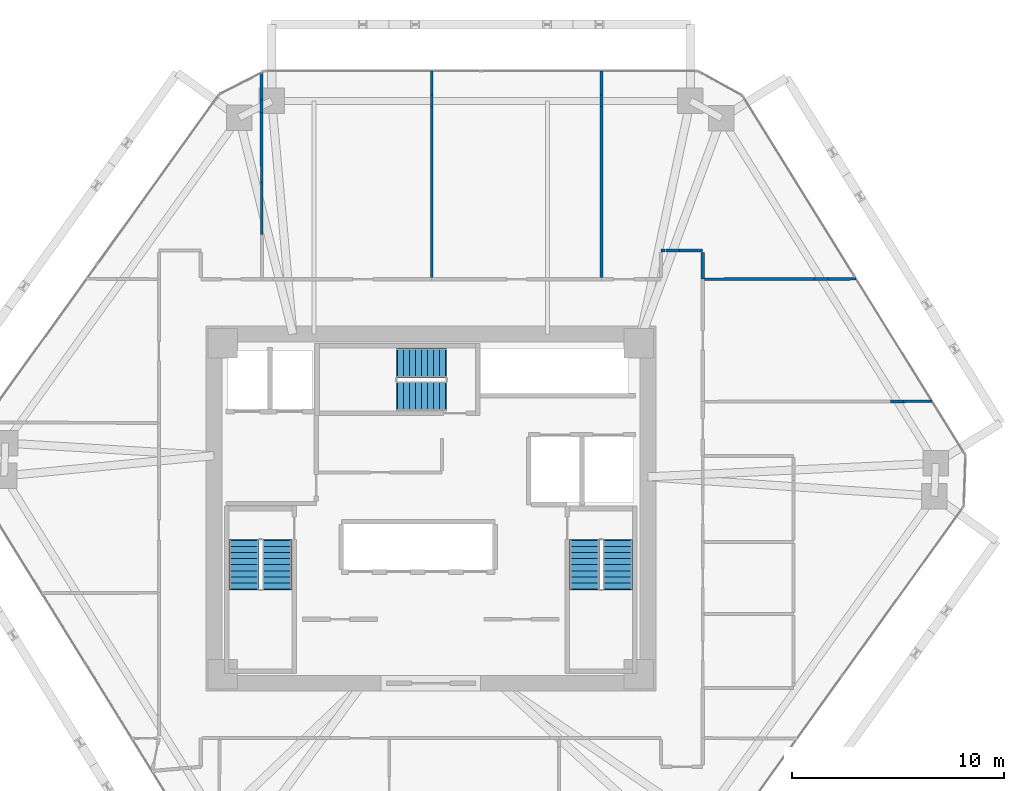
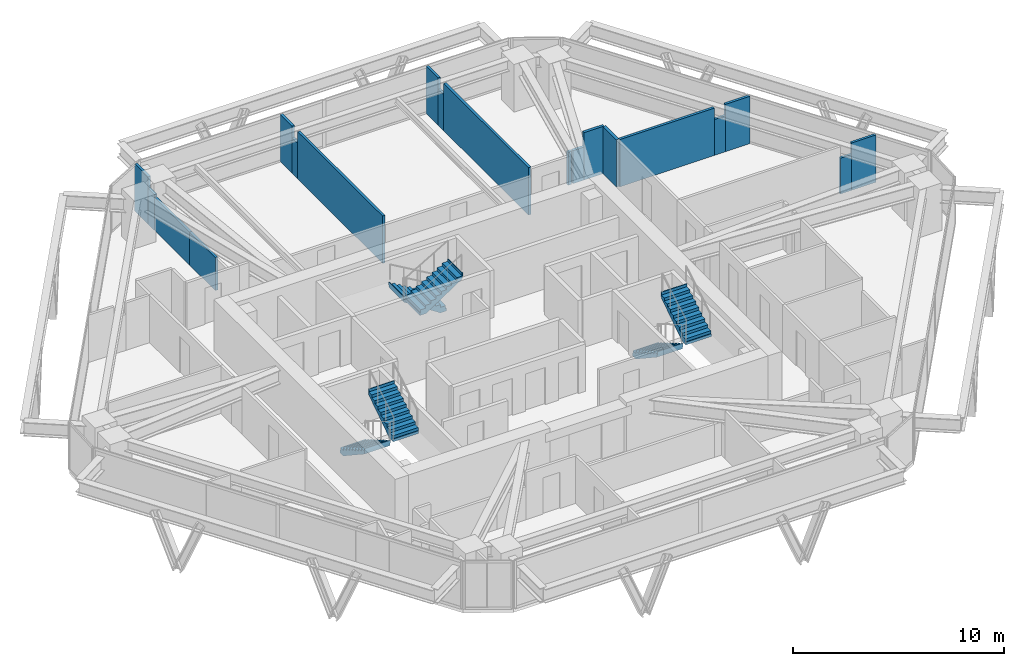
# One storey, part 13 of 14: 19 walls, 6 stair flights, 3 elements without a shape of their own.
"""IFC4 building model written with IfcOpenShell, lengths in metres."""

import ifcopenshell
import ifcopenshell.guid

model = None  # the IFC model being written
_history = None  # IfcOwnerHistory: only IFC2X3 demands one
_inside = {}  # id of a spatial element -> (the spatial element, [elements in it])
_under = {}  # id of a project, library or spatial element -> (it, [spatial elements below it])
_declared = {}  # id of a project -> (the project, [libraries it declares])
_typed = {}  # id of a type object -> (the type object, [elements of that type])
_made_of = {}  # id of a material, layer set ... -> (it, [elements and type objects made of it])


def new_model(schema):
    """Start an empty IFC model of exactly this schema.

    Asked for "IFC4X3", IfcOpenShell would pick the latest addendum, in which some entities
    have other attributes; the version numbers below select the first issue.
    IFC2X3 requires an IfcOwnerHistory on every rooted entity: one is made here for all.
    """
    global model, _history
    if schema == "IFC4X3":
        model = ifcopenshell.file(schema_version=(4, 3, 0, 0))
    else:
        model = ifcopenshell.file(schema=schema)
    _inside.clear()
    _under.clear()
    _declared.clear()
    _typed.clear()
    _made_of.clear()
    _history = None
    if model.schema == "IFC2X3":
        org = make("IfcOrganization", Name="unknown")
        user = make(
            "IfcPersonAndOrganization",
            ThePerson=make("IfcPerson", FamilyName="unknown"),
            TheOrganization=org,
        )
        app = make(
            "IfcApplication",
            ApplicationDeveloper=org,
            Version="unknown",
            ApplicationFullName="unknown",
            ApplicationIdentifier="unknown",
        )
        _history = make(
            "IfcOwnerHistory",
            OwningUser=user,
            OwningApplication=app,
            ChangeAction="ADDED",
            CreationDate=0,
        )
    return model


def make(cls, **values):
    """One entity of the class cls with the attributes given. An attribute that is None is left unset."""
    return model.create_entity(
        cls, **{name: value for name, value in values.items() if value is not None}
    )


def rooted(cls, **values):
    """An entity with a GlobalId (a new one), such as an element, a storey or a relation."""
    return make(cls, GlobalId=ifcopenshell.guid.new(), OwnerHistory=_history, **values)


def si_unit(unit_type, name, prefix=None):
    """IfcSIUnit, for example si_unit("LENGTHUNIT", "METRE", prefix="MILLI")."""
    return make("IfcSIUnit", UnitType=unit_type, Prefix=prefix, Name=name)


def assignment(units):
    """IfcUnitAssignment: the units of a project."""
    return None if units is None else make("IfcUnitAssignment", Units=units)


def point(xyz):
    """IfcCartesianPoint."""
    return None if xyz is None else make("IfcCartesianPoint", Coordinates=xyz)


def direction(xyz):
    """IfcDirection."""
    return None if xyz is None else make("IfcDirection", DirectionRatios=xyz)


def frame(location, z_axis=None, x_axis=None):
    """IfcAxis2Placement3D, a coordinate frame: its origin and axes. An axis left out is left unset."""
    return make(
        "IfcAxis2Placement3D",
        Location=point(location),
        Axis=direction(z_axis),
        RefDirection=direction(x_axis),
    )


def frame_2d(location, x_axis=None):
    """IfcAxis2Placement2D, a coordinate frame in the plane: its origin and x axis."""
    return make(
        "IfcAxis2Placement2D", Location=point(location), RefDirection=direction(x_axis)
    )


def origin():
    """The frame at (0, 0, 0) with its axes left unset."""
    return frame((0.0, 0.0, 0.0))


def place(relative_to, where):
    """IfcLocalPlacement: puts the frame where relative to a parent placement (None: the world)."""
    return make(
        "IfcLocalPlacement", PlacementRelTo=relative_to, RelativePlacement=where
    )


def context(
    kind, dimensions, precision=None, world=None, true_north=None, identifier=None
):
    """IfcGeometricRepresentationContext, for example the 3D "Model" context."""
    return make(
        "IfcGeometricRepresentationContext",
        ContextIdentifier=identifier,
        ContextType=kind,
        CoordinateSpaceDimension=dimensions,
        Precision=precision,
        WorldCoordinateSystem=world,
        TrueNorth=true_north,
    )


def subcontext(parent, identifier, kind, view, scale=None):
    """IfcGeometricRepresentationSubContext, for example "Body" below "Model"."""
    return make(
        "IfcGeometricRepresentationSubContext",
        ContextIdentifier=identifier,
        ContextType=kind,
        ParentContext=parent,
        TargetScale=scale,
        TargetView=view,
    )


def project(units=None, contexts=None):
    """IfcProject with its units and contexts."""
    return rooted(
        "IfcProject",
        Name="project",
        RepresentationContexts=contexts,
        UnitsInContext=assignment(units),
    )


def spatial(cls, under=None, at=None, **own):
    """A site, building, storey or space (cls), placed at a placement, below another one or the project."""
    s = rooted(cls, ObjectPlacement=at, **own)
    if under is not None:
        _under.setdefault(under.id(), (under, []))[1].append(s)
    return s


def polyline(points):
    """IfcPolyline through the points."""
    return make("IfcPolyline", Points=[point(p) for p in points])


def profile(cls, at=None, kind="AREA", **sizes):
    """A parametric profile (cls). Its sizes go by their IFC names, for example OverallWidth=200.0."""
    return make(cls, ProfileType=kind, Position=at, **sizes)


def rectangle(**sizes):
    """IfcRectangleProfileDef."""
    return profile("IfcRectangleProfileDef", **sizes)


def outline(outer, holes=None, kind="AREA"):
    """IfcArbitraryClosedProfileDef: a profile drawn as a closed curve; with holes, ...WithVoids."""
    if holes is None:
        return make("IfcArbitraryClosedProfileDef", ProfileType=kind, OuterCurve=outer)
    return make(
        "IfcArbitraryProfileDefWithVoids",
        ProfileType=kind,
        OuterCurve=outer,
        InnerCurves=holes,
    )


def extrude(swept, where, along, depth):
    """IfcExtrudedAreaSolid: the profile swept, set in the frame where, extruded along a direction by depth."""
    return make(
        "IfcExtrudedAreaSolid",
        SweptArea=swept,
        Position=where,
        ExtrudedDirection=direction(along),
        Depth=depth,
    )


def shape(context_of_items, identifier, shape_type, items):
    """IfcShapeRepresentation: the items that make up one representation, for example the "Body"."""
    return make(
        "IfcShapeRepresentation",
        ContextOfItems=context_of_items,
        RepresentationIdentifier=identifier,
        RepresentationType=shape_type,
        Items=items,
    )


def material(Name=None, Category=None):
    """IfcMaterial."""
    return make("IfcMaterial", Name=Name, Category=Category)


def layer(
    of_material, thickness, ventilated=None, Name=None, Category=None, Priority=None
):
    """IfcMaterialLayer: one layer of a wall or slab, of a material (None: an air gap)."""
    return make(
        "IfcMaterialLayer",
        Material=of_material,
        LayerThickness=thickness,
        IsVentilated=ventilated,
        Name=Name,
        Category=Category,
        Priority=Priority,
    )


def layer_set(layers, Name=None):
    """IfcMaterialLayerSet."""
    return make("IfcMaterialLayerSet", MaterialLayers=layers, LayerSetName=Name)


def made_of(thing, what):
    """Note that an element or type object is made of a material, layer set ...; save() writes the relation."""
    if what is not None:
        _made_of.setdefault(what.id(), (what, []))[1].append(thing)
    return thing


def type_object(cls, material=None, **own):
    """A type object (cls), such as IfcWallType, which elements share."""
    return made_of(rooted(cls, **own), material)


def element(
    cls,
    number,
    at=None,
    inside=None,
    cuts=None,
    type_object=None,
    material=None,
    context=None,
    identifier="Body",
    shape_type=None,
    held_by="IfcProductDefinitionShape",
    body=None,
    shapes=None,
    **own,
):
    """One element of the class cls, such as IfcWall. Its Tag is "e" and its number.

    at: its placement. inside: the storey or other place that contains it. cuts: it is an
    opening in that element (IfcRelVoidsElement). A single representation is given by context,
    identifier, shape_type and body (its items); several are given by shapes. held_by: the class
    of the entity that holds the representations. save() writes the other relations.
    """
    e = rooted(cls, Tag="e%d" % number, ObjectPlacement=at, **own)
    if body is not None:
        shapes = [shape(context, identifier, shape_type, body)]
    if shapes is not None:
        e.Representation = make(held_by, Representations=shapes)
    if inside is not None:
        _inside.setdefault(inside.id(), (inside, []))[1].append(e)
    if cuts is not None:
        rooted(
            "IfcRelVoidsElement", RelatingBuildingElement=cuts, RelatedOpeningElement=e
        )
    if type_object is not None:
        _typed.setdefault(type_object.id(), (type_object, []))[1].append(e)
    return made_of(e, material)


def aggregate(whole, parts):
    """IfcRelAggregates: a whole, such as a stair, and the parts it consists of."""
    return rooted("IfcRelAggregates", RelatingObject=whole, RelatedObjects=parts)


def save(model, path):
    """Write the relations noted so far, then the file.

    IfcRelAggregates (storeys below a building ...), IfcRelContainedInSpatialStructure (elements
    in a storey), IfcRelDefinesByType, IfcRelAssociatesMaterial and IfcRelDeclares: one each for
    every whole, place, type object, material and project.
    """
    for whole, parts in _under.values():
        aggregate(whole, parts)
    for where, things in _inside.values():
        rooted(
            "IfcRelContainedInSpatialStructure",
            RelatedElements=things,
            RelatingStructure=where,
        )
    for kind, things in _typed.values():
        rooted("IfcRelDefinesByType", RelatedObjects=things, RelatingType=kind)
    for what, things in _made_of.values():
        rooted("IfcRelAssociatesMaterial", RelatedObjects=things, RelatingMaterial=what)
    for by, libraries in _declared.values():
        rooted("IfcRelDeclares", RelatingContext=by, RelatedDefinitions=libraries)
    model.write(path)


model = new_model("IFC4")

# Units and contexts
model_context = context("Model", 3, precision=1e-05, world=origin(), true_north=direction((0.0, 1.0)))
body_context = subcontext(model_context, "Body", "Model", "MODEL_VIEW")
ifc_project = project(units=[si_unit("LENGTHUNIT", "METRE"), si_unit("AREAUNIT", "SQUARE_METRE"), si_unit("VOLUMEUNIT", "CUBIC_METRE"), si_unit("PLANEANGLEUNIT", "RADIAN"), si_unit("MASSUNIT", "GRAM", prefix="KILO")], contexts=[model_context])

# Site, building, storey
site_placement = place(None, origin())
site = spatial("IfcSite", under=ifc_project, at=site_placement, CompositionType="ELEMENT")
building_placement = place(site_placement, origin())
building = spatial("IfcBuilding", under=site, at=building_placement, Name="Durnholm Broadcast Tower", CompositionType="ELEMENT")
storey_placement = place(building_placement, frame((0.0, 0.0, 140.10009765625)))
storey = spatial("IfcBuildingStorey", under=building, at=storey_placement, Name="L38", CompositionType="ELEMENT", Elevation=140.10009765625)

# Walls
ifc_material_1 = material(Name="Gypsum Metal Stud Partition", Category="concrete")
ifc_layer_1 = layer(ifc_material_1, 0.135009765625)
ifc_layer_set_1 = layer_set([ifc_layer_1], Name="Gypsum Metal Stud Partition")
wall_type_1 = type_object("IfcWallType", Name="WALL-PART-135", PredefinedType="PARTITIONING", material=ifc_layer_set_1)
wall_1_placement = place(storey_placement, frame((-7.978271484375, 20.542236328125, 0.0), z_axis=(0.0, 0.0, 1.0), x_axis=(0.001914971594, -0.99999816644, 0.0)))
element("IfcWall", 1, at=wall_1_placement, inside=storey, type_object=wall_type_1, Name="L38 room dividing partition 7.8", PredefinedType="PARTITIONING", context=body_context, shape_type="SweptSolid", body=[
    extrude(rectangle(XDim=1.27490234375, YDim=0.135009765625, at=frame_2d((0.637451171875, 0.0))), origin(), (0.0, 0.0, 1.0), 2.744873046875),
])
wall_2_placement = place(storey_placement, frame((-7.974609375, 18.673095703125, 0.0), z_axis=(0.0, 0.0, 1.0), x_axis=(0.001840668359, -0.999998305969, 0.0)))
element("IfcWall", 2, at=wall_2_placement, inside=storey, type_object=wall_type_1, Name="L38 room dividing partition 7.8", PredefinedType="PARTITIONING", context=body_context, shape_type="SweptSolid", body=[
    extrude(rectangle(XDim=3.31591796875, YDim=0.135009765625, at=frame_2d((1.657958984375, 0.0))), origin(), (0.0, 0.0, 1.0), 1.912109375),
])
wall_3_placement = place(storey_placement, frame((-7.975830078125, 19.267333984375, 0.0), z_axis=(0.0, 0.0, 1.0), x_axis=(0.002054227383, -0.999997890073, 0.0)))
element("IfcWall", 3, at=wall_3_placement, inside=storey, type_object=wall_type_1, Name="L38 room dividing partition 7.8", PredefinedType="PARTITIONING", context=body_context, shape_type="SweptSolid", body=[
    extrude(rectangle(XDim=0.59423828125, YDim=0.135009765625, at=frame_2d((0.297119140625, 0.0))), origin(), (0.0, 0.0, 1.0), 2.079833984375),
])
wall_4_placement = place(storey_placement, frame((-7.968505859375, 15.357177734375, 0.0), z_axis=(0.0, 0.0, 1.0), x_axis=(0.001895636622, -0.999998203279, 0.0)))
element("IfcWall", 4, at=wall_4_placement, inside=storey, type_object=wall_type_1, Name="L38 room dividing partition 7.8", PredefinedType="PARTITIONING", context=body_context, shape_type="SweptSolid", body=[
    extrude(rectangle(XDim=2.447021484375, YDim=0.135009765625, at=frame_2d((1.2236328125, 0.0))), origin(), (0.0, 0.0, 1.0), 1.912109375),
])
wall_5_placement = place(storey_placement, frame((0.0400390625, 20.614990234375, 0.0), z_axis=(0.0, 0.0, 1.0), x_axis=(0.0, -1.0, 0.0)))
element("IfcWall", 5, at=wall_5_placement, inside=storey, type_object=wall_type_1, Name="L38 room dividing partition 8.9", PredefinedType="PARTITIONING", context=body_context, shape_type="SweptSolid", body=[
    extrude(rectangle(XDim=1.135498046875, YDim=0.135009765625, at=frame_2d((0.56787109375, 0.0))), origin(), (0.0, 0.0, 1.0), 2.744873046875),
])
wall_6_placement = place(storey_placement, frame((0.0400390625, 18.950439453125, 0.0), z_axis=(0.0, 0.0, 1.0), x_axis=(0.0, -1.0, 0.0)))
element("IfcWall", 6, at=wall_6_placement, inside=storey, type_object=wall_type_1, Name="L38 room dividing partition 8.9", PredefinedType="PARTITIONING", context=body_context, shape_type="SweptSolid", body=[
    extrude(rectangle(XDim=8.0615234375, YDim=0.135009765625, at=frame_2d((4.03076171875, 0.0))), origin(), (0.0, 0.0, 1.0), 2.744873046875),
])
wall_7_placement = place(storey_placement, frame((0.0400390625, 19.4794921875, 0.0), z_axis=(0.0, 0.0, 1.0), x_axis=(0.0, -1.0, 0.0)))
element("IfcWall", 7, at=wall_7_placement, inside=storey, type_object=wall_type_1, Name="L38 room dividing partition 8.9", PredefinedType="PARTITIONING", context=body_context, shape_type="SweptSolid", body=[
    extrude(rectangle(XDim=0.529052734375, YDim=0.135009765625, at=frame_2d((0.2646484375, 0.0))), origin(), (0.0, 0.0, 1.0), 2.079833984375),
])
wall_8_placement = place(storey_placement, frame((8.0400390625, 20.614990234375, 0.0), z_axis=(0.0, 0.0, 1.0), x_axis=(0.0, -1.0, 0.0)))
element("IfcWall", 8, at=wall_8_placement, inside=storey, type_object=wall_type_1, Name="L38 room dividing partition 9.10", PredefinedType="PARTITIONING", context=body_context, shape_type="SweptSolid", body=[
    extrude(rectangle(XDim=1.135498046875, YDim=0.135009765625, at=frame_2d((0.56787109375, 0.0))), origin(), (0.0, 0.0, 1.0), 2.744873046875),
])
wall_9_placement = place(storey_placement, frame((8.0400390625, 18.950439453125, 0.0), z_axis=(0.0, 0.0, 1.0), x_axis=(0.0, -1.0, 0.0)))
element("IfcWall", 9, at=wall_9_placement, inside=storey, type_object=wall_type_1, Name="L38 room dividing partition 9.10", PredefinedType="PARTITIONING", context=body_context, shape_type="SweptSolid", body=[
    extrude(rectangle(XDim=8.0615234375, YDim=0.135009765625, at=frame_2d((4.03076171875, 0.0))), origin(), (0.0, 0.0, 1.0), 2.744873046875),
])
wall_10_placement = place(storey_placement, frame((8.0400390625, 19.4794921875, 0.0), z_axis=(0.0, 0.0, 1.0), x_axis=(0.0, -1.0, 0.0)))
element("IfcWall", 10, at=wall_10_placement, inside=storey, type_object=wall_type_1, Name="L38 room dividing partition 9.10", PredefinedType="PARTITIONING", context=body_context, shape_type="SweptSolid", body=[
    extrude(rectangle(XDim=0.529052734375, YDim=0.135009765625, at=frame_2d((0.2646484375, 0.0))), origin(), (0.0, 0.0, 1.0), 2.079833984375),
])
wall_11_placement = place(storey_placement, frame((20.03515625, 10.8310546875, 0.0), z_axis=(0.0, 0.0, 1.0), x_axis=(-0.999995711111, -0.002928781142, 0.0)))
element("IfcWall", 11, at=wall_11_placement, inside=storey, type_object=wall_type_1, Name="L38 room dividing partition 10.19", PredefinedType="PARTITIONING", context=body_context, shape_type="SweptSolid", body=[
    extrude(rectangle(XDim=1.333740234375, YDim=0.135009765625, at=frame_2d((0.6669921875, 0.0))), origin(), (0.0, 0.0, 1.0), 2.744873046875),
])
wall_12_placement = place(storey_placement, frame((18.080078125, 10.825439453125, 0.0), z_axis=(0.0, 0.0, 1.0), x_axis=(-0.999995748898, -0.002915850841, 0.0)))
element("IfcWall", 12, at=wall_12_placement, inside=storey, type_object=wall_type_1, Name="L38 room dividing partition 10.19", PredefinedType="PARTITIONING", context=body_context, shape_type="SweptSolid", body=[
    extrude(rectangle(XDim=5.191162109375, YDim=0.135009765625, at=frame_2d((2.595703125, 0.0))), origin(), (0.0, 0.0, 1.0), 2.744873046875),
])
wall_13_placement = place(storey_placement, frame((18.701416015625, 10.8271484375, 0.0), z_axis=(0.0, 0.0, 1.0), x_axis=(-0.999996217421, -0.002750480755, 0.0)))
element("IfcWall", 13, at=wall_13_placement, inside=storey, type_object=wall_type_1, Name="L38 room dividing partition 10.19", PredefinedType="PARTITIONING", context=body_context, shape_type="SweptSolid", body=[
    extrude(rectangle(XDim=0.621337890625, YDim=0.135009765625, at=frame_2d((0.310546875, 0.0))), origin(), (0.0, 0.0, 1.0), 2.079833984375),
])
wall_14_placement = place(storey_placement, frame((22.279541015625, 5.05859375, 0.0), z_axis=(0.0, 0.0, 1.0), x_axis=(0.999998327097, 0.001829153699, 0.0)))
element("IfcWall", 14, at=wall_14_placement, inside=storey, type_object=wall_type_1, Name="L38 room dividing partition 18.19", PredefinedType="PARTITIONING", context=body_context, shape_type="SweptSolid", body=[
    extrude(rectangle(XDim=1.334716796875, YDim=0.135009765625, at=frame_2d((0.66748046875, 0.0))), origin(), (0.0, 0.0, 1.0), 2.744873046875),
])
wall_15_placement = place(storey_placement, frame((21.65771484375, 5.057373046875, 0.0), z_axis=(0.0, 0.0, 1.0), x_axis=(0.999998073137, 0.001963090053, 0.0)))
element("IfcWall", 15, at=wall_15_placement, inside=storey, type_object=wall_type_1, Name="L38 room dividing partition 18.19", PredefinedType="PARTITIONING", context=body_context, shape_type="SweptSolid", body=[
    extrude(rectangle(XDim=0.621826171875, YDim=0.135009765625, at=frame_2d((0.31103515625, 0.0))), origin(), (0.0, 0.0, 1.0), 2.079833984375),
])
ifc_material_2 = material(Name="Acoustic Gypsum Stud Partition", Category="concrete")
ifc_layer_2 = layer(ifc_material_2, 0.14990234375)
ifc_layer_set_2 = layer_set([ifc_layer_2], Name="Acoustic Gypsum Stud Partition")
wall_type_2 = type_object("IfcWallType", Name="WALL-PART-150", PredefinedType="PARTITIONING", material=ifc_layer_set_2)
wall_16_placement = place(storey_placement, frame((12.81005859375, 12.159912109375, 0.0), z_axis=(0.0, 0.0, 1.0), x_axis=(-1.0, 0.0, 0.0)))
element("IfcWall", 16, at=wall_16_placement, inside=storey, type_object=wall_type_2, Name="L38 Open Plan Broadcast Workspace 5 corridor partition", PredefinedType="PARTITIONING", context=body_context, shape_type="SweptSolid", body=[
    extrude(rectangle(XDim=1.09765625, YDim=0.14990234375, at=frame_2d((0.548828125, 0.0))), origin(), (0.0, 0.0, 1.0), 2.744873046875),
])
wall_17_placement = place(storey_placement, frame((11.71240234375, 12.159912109375, 0.0), z_axis=(0.0, 0.0, 1.0), x_axis=(-1.0, 0.0, 0.0)))
element("IfcWall", 17, at=wall_17_placement, inside=storey, type_object=wall_type_2, Name="L38 Open Plan Broadcast Workspace 5 corridor partition", PredefinedType="PARTITIONING", context=body_context, shape_type="SweptSolid", body=[
    extrude(rectangle(XDim=0.623291015625, YDim=0.14990234375, at=frame_2d((0.3115234375, 0.0))), origin(), (0.0, 0.0, 1.0), 1.912109375),
])
wall_18_placement = place(storey_placement, frame((11.027099609375, 12.159912109375, 0.0), z_axis=(0.0, 0.0, 1.0), x_axis=(-1.0, 0.0, 0.0)))
element("IfcWall", 18, at=wall_18_placement, inside=storey, type_object=wall_type_2, Name="L38 Open Plan Broadcast Workspace 5 corridor partition", PredefinedType="PARTITIONING", context=body_context, shape_type="SweptSolid", body=[
    extrude(rectangle(XDim=0.18701171875, YDim=0.14990234375, at=frame_2d((0.093505859375, 0.0))), origin(), (0.0, 0.0, 1.0), 1.912109375),
])
wall_19_placement = place(storey_placement, frame((12.81005859375, 10.81005859375, 0.0), z_axis=(0.0, 0.0, 1.0), x_axis=(0.0, 1.0, 0.0)))
element("IfcWall", 19, at=wall_19_placement, inside=storey, type_object=wall_type_2, Name="L38 Open Plan Broadcast Workspace 5 corridor partition", PredefinedType="PARTITIONING", context=body_context, shape_type="SweptSolid", body=[
    extrude(rectangle(XDim=1.27099609375, YDim=0.14990234375, at=frame_2d((0.635498046875, 0.0))), origin(), (0.0, 0.0, 1.0), 2.744873046875),
])

# Stair, stair flights
ifc_material_3 = material(Name="Concrete C50/60", Category="concrete")
stair_type = type_object("IfcStairType", Name="STAIR-DL-18R1667", PredefinedType="HALF_TURN_STAIR", material=ifc_material_3)
stair_1_placement = place(storey_placement, origin())
stair_1 = element("IfcStair", 20, at=stair_1_placement, inside=storey, type_object=stair_type, Name="L38 ST-1", PredefinedType="HALF_TURN_STAIR")
stair_flight_type = type_object("IfcStairFlightType", Name="FLIGHT-DL-18R1667", PredefinedType="STRAIGHT", material=ifc_material_3)
stair_flight_1_placement = place(storey_placement, frame((-8.800048828125, -1.5, 0.0), z_axis=(0.0, 0.0, 1.0), x_axis=(0.0, -1.0, 0.0)))
stair_flight_1 = element("IfcStairFlight", 21, at=stair_flight_1_placement, type_object=stair_flight_type, Name="ST-1 flight 1", NumberOfRisers=9, NumberOfTreads=8, PredefinedType="STRAIGHT", RiserHeight=0.166666667, TreadLength=0.285, context=body_context, shape_type="SweptSolid", body=[
    extrude(outline(polyline([(-0.0400390625, -0.14990234375), (-0.0400390625, 0.0), (0.0, 0.0), (0.0, 0.166748046875), (0.284912109375, 0.166748046875), (0.284912109375, 0.333251953125), (0.570068359375, 0.333251953125), (0.570068359375, 0.5), (0.85498046875, 0.5), (0.85498046875, 0.666748046875), (1.139892578125, 0.666748046875), (1.139892578125, 0.833251953125), (1.425048828125, 0.833251953125), (1.425048828125, 1.0), (1.7099609375, 1.0), (1.7099609375, 1.166748046875), (1.9951171875, 1.166748046875), (1.9951171875, 1.333251953125), (2.280029296875, 1.333251953125), (2.280029296875, 1.5), (2.320068359375, 1.5), (2.320068359375, 1.35009765625), (2.280029296875, 1.15966796875), (0.296875, -0.14990234375), (-0.0400390625, -0.14990234375)])), frame((0.0, 0.699951171875, 0.0), z_axis=(0.0, -1.0, 0.0), x_axis=(1.0, 0.0, 0.0)), (0.0, 0.0, 1.0), 1.39990234375),
])
stair_flight_2_placement = place(storey_placement, frame((-7.239990234375, -3.780029296875, 1.5), z_axis=(0.0, 0.0, 1.0), x_axis=(0.0, 1.0, 0.0)))
stair_flight_2 = element("IfcStairFlight", 22, at=stair_flight_2_placement, type_object=stair_flight_type, Name="ST-1 flight 2", NumberOfRisers=9, NumberOfTreads=8, PredefinedType="STRAIGHT", RiserHeight=0.166666667, TreadLength=0.285, context=body_context, shape_type="SweptSolid", body=[
    extrude(outline(polyline([(-0.0400390625, -0.14990234375), (-0.0400390625, 0.0), (0.0, 0.0), (0.0, 0.166748046875), (0.284912109375, 0.166748046875), (0.284912109375, 0.333251953125), (0.570068359375, 0.333251953125), (0.570068359375, 0.5), (0.85498046875, 0.5), (0.85498046875, 0.666748046875), (1.139892578125, 0.666748046875), (1.139892578125, 0.833251953125), (1.425048828125, 0.833251953125), (1.425048828125, 1.0), (1.7099609375, 1.0), (1.7099609375, 1.166748046875), (1.9951171875, 1.166748046875), (1.9951171875, 1.333251953125), (2.280029296875, 1.333251953125), (2.280029296875, 1.5), (2.320068359375, 1.5), (2.320068359375, 1.35009765625), (2.280029296875, 1.15966796875), (0.296875, -0.14990234375), (-0.0400390625, -0.14990234375)])), frame((0.0, 0.699951171875, 0.0), z_axis=(0.0, -1.0, 0.0), x_axis=(1.0, 0.0, 0.0)), (0.0, 0.0, 1.0), 1.39990234375),
])
aggregate(stair_1, [stair_flight_1, stair_flight_2])

stair_2_placement = place(storey_placement, origin())
stair_2 = element("IfcStair", 23, at=stair_2_placement, inside=storey, type_object=stair_type, Name="L38 ST-2", PredefinedType="HALF_TURN_STAIR")
stair_flight_3_placement = place(storey_placement, frame((7.239990234375, -1.5, 0.0), z_axis=(0.0, 0.0, 1.0), x_axis=(0.0, -1.0, 0.0)))
stair_flight_3 = element("IfcStairFlight", 24, at=stair_flight_3_placement, type_object=stair_flight_type, Name="ST-2 flight 1", NumberOfRisers=9, NumberOfTreads=8, PredefinedType="STRAIGHT", RiserHeight=0.166666667, TreadLength=0.285, context=body_context, shape_type="SweptSolid", body=[
    extrude(outline(polyline([(-0.0400390625, -0.14990234375), (-0.0400390625, 0.0), (0.0, 0.0), (0.0, 0.166748046875), (0.284912109375, 0.166748046875), (0.284912109375, 0.333251953125), (0.570068359375, 0.333251953125), (0.570068359375, 0.5), (0.85498046875, 0.5), (0.85498046875, 0.666748046875), (1.139892578125, 0.666748046875), (1.139892578125, 0.833251953125), (1.425048828125, 0.833251953125), (1.425048828125, 1.0), (1.7099609375, 1.0), (1.7099609375, 1.166748046875), (1.9951171875, 1.166748046875), (1.9951171875, 1.333251953125), (2.280029296875, 1.333251953125), (2.280029296875, 1.5), (2.320068359375, 1.5), (2.320068359375, 1.35009765625), (2.280029296875, 1.15966796875), (0.296875, -0.14990234375), (-0.0400390625, -0.14990234375)])), frame((0.0, 0.699951171875, 0.0), z_axis=(0.0, -1.0, 0.0), x_axis=(1.0, 0.0, 0.0)), (0.0, 0.0, 1.0), 1.39990234375),
])
stair_flight_4_placement = place(storey_placement, frame((8.800048828125, -3.780029296875, 1.5), z_axis=(0.0, 0.0, 1.0), x_axis=(0.0, 1.0, 0.0)))
stair_flight_4 = element("IfcStairFlight", 25, at=stair_flight_4_placement, type_object=stair_flight_type, Name="ST-2 flight 2", NumberOfRisers=9, NumberOfTreads=8, PredefinedType="STRAIGHT", RiserHeight=0.166666667, TreadLength=0.285, context=body_context, shape_type="SweptSolid", body=[
    extrude(outline(polyline([(-0.0400390625, -0.14990234375), (-0.0400390625, 0.0), (0.0, 0.0), (0.0, 0.166748046875), (0.284912109375, 0.166748046875), (0.284912109375, 0.333251953125), (0.570068359375, 0.333251953125), (0.570068359375, 0.5), (0.85498046875, 0.5), (0.85498046875, 0.666748046875), (1.139892578125, 0.666748046875), (1.139892578125, 0.833251953125), (1.425048828125, 0.833251953125), (1.425048828125, 1.0), (1.7099609375, 1.0), (1.7099609375, 1.166748046875), (1.9951171875, 1.166748046875), (1.9951171875, 1.333251953125), (2.280029296875, 1.333251953125), (2.280029296875, 1.5), (2.320068359375, 1.5), (2.320068359375, 1.35009765625), (2.280029296875, 1.15966796875), (0.296875, -0.14990234375), (-0.0400390625, -0.14990234375)])), frame((0.0, 0.699951171875, 0.0), z_axis=(0.0, -1.0, 0.0), x_axis=(1.0, 0.0, 0.0)), (0.0, 0.0, 1.0), 1.39990234375),
])
aggregate(stair_2, [stair_flight_3, stair_flight_4])

stair_3_placement = place(storey_placement, origin())
stair_3 = element("IfcStair", 26, at=stair_3_placement, inside=storey, type_object=stair_type, Name="L38 ST-3", PredefinedType="HALF_TURN_STAIR")
stair_flight_5_placement = place(storey_placement, frame((0.699951171875, 6.860107421875, 0.0), z_axis=(0.0, 0.0, 1.0), x_axis=(-1.0, 0.0, 0.0)))
stair_flight_5 = element("IfcStairFlight", 27, at=stair_flight_5_placement, type_object=stair_flight_type, Name="ST-3 flight 1", NumberOfRisers=9, NumberOfTreads=8, PredefinedType="STRAIGHT", RiserHeight=0.166666667, TreadLength=0.285, context=body_context, shape_type="SweptSolid", body=[
    extrude(outline(polyline([(-0.0400390625, -0.14990234375), (-0.0400390625, 0.0), (0.0, 0.0), (0.0, 0.166748046875), (0.284912109375, 0.166748046875), (0.284912109375, 0.333251953125), (0.570068359375, 0.333251953125), (0.570068359375, 0.5), (0.85498046875, 0.5), (0.85498046875, 0.666748046875), (1.139892578125, 0.666748046875), (1.139892578125, 0.833251953125), (1.425048828125, 0.833251953125), (1.425048828125, 1.0), (1.7099609375, 1.0), (1.7099609375, 1.166748046875), (1.9951171875, 1.166748046875), (1.9951171875, 1.333251953125), (2.280029296875, 1.333251953125), (2.280029296875, 1.5), (2.320068359375, 1.5), (2.320068359375, 1.35009765625), (2.280029296875, 1.15966796875), (0.296875, -0.14990234375), (-0.0400390625, -0.14990234375)])), frame((0.0, 0.699951171875, 0.0), z_axis=(0.0, -1.0, 0.0), x_axis=(1.0, 0.0, 0.0)), (0.0, 0.0, 1.0), 1.39990234375),
])
stair_flight_6_placement = place(storey_placement, frame((-1.580078125, 5.300048828125, 1.5), z_axis=(0.0, 0.0, 1.0), x_axis=(1.0, 0.0, 0.0)))
stair_flight_6 = element("IfcStairFlight", 28, at=stair_flight_6_placement, type_object=stair_flight_type, Name="ST-3 flight 2", NumberOfRisers=9, NumberOfTreads=8, PredefinedType="STRAIGHT", RiserHeight=0.166666667, TreadLength=0.285, context=body_context, shape_type="SweptSolid", body=[
    extrude(outline(polyline([(-0.0400390625, -0.14990234375), (-0.0400390625, 0.0), (0.0, 0.0), (0.0, 0.166748046875), (0.284912109375, 0.166748046875), (0.284912109375, 0.333251953125), (0.570068359375, 0.333251953125), (0.570068359375, 0.5), (0.85498046875, 0.5), (0.85498046875, 0.666748046875), (1.139892578125, 0.666748046875), (1.139892578125, 0.833251953125), (1.425048828125, 0.833251953125), (1.425048828125, 1.0), (1.7099609375, 1.0), (1.7099609375, 1.166748046875), (1.9951171875, 1.166748046875), (1.9951171875, 1.333251953125), (2.280029296875, 1.333251953125), (2.280029296875, 1.5), (2.320068359375, 1.5), (2.320068359375, 1.35009765625), (2.280029296875, 1.15966796875), (0.296875, -0.14990234375), (-0.0400390625, -0.14990234375)])), frame((0.0, 0.699951171875, 0.0), z_axis=(0.0, -1.0, 0.0), x_axis=(1.0, 0.0, 0.0)), (0.0, 0.0, 1.0), 1.39990234375),
])
aggregate(stair_3, [stair_flight_5, stair_flight_6])

save(model, "model.ifc")
